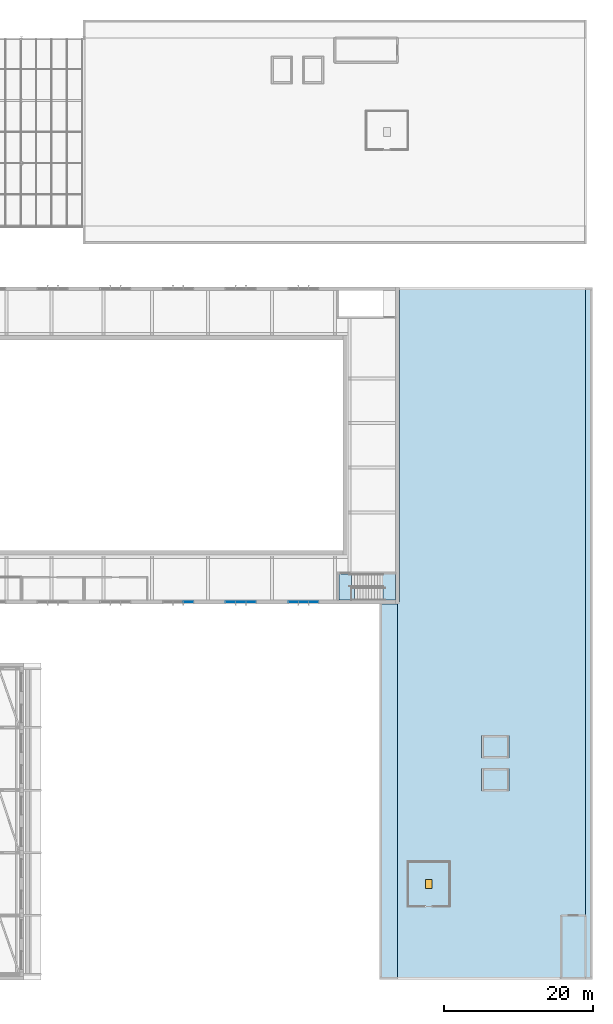
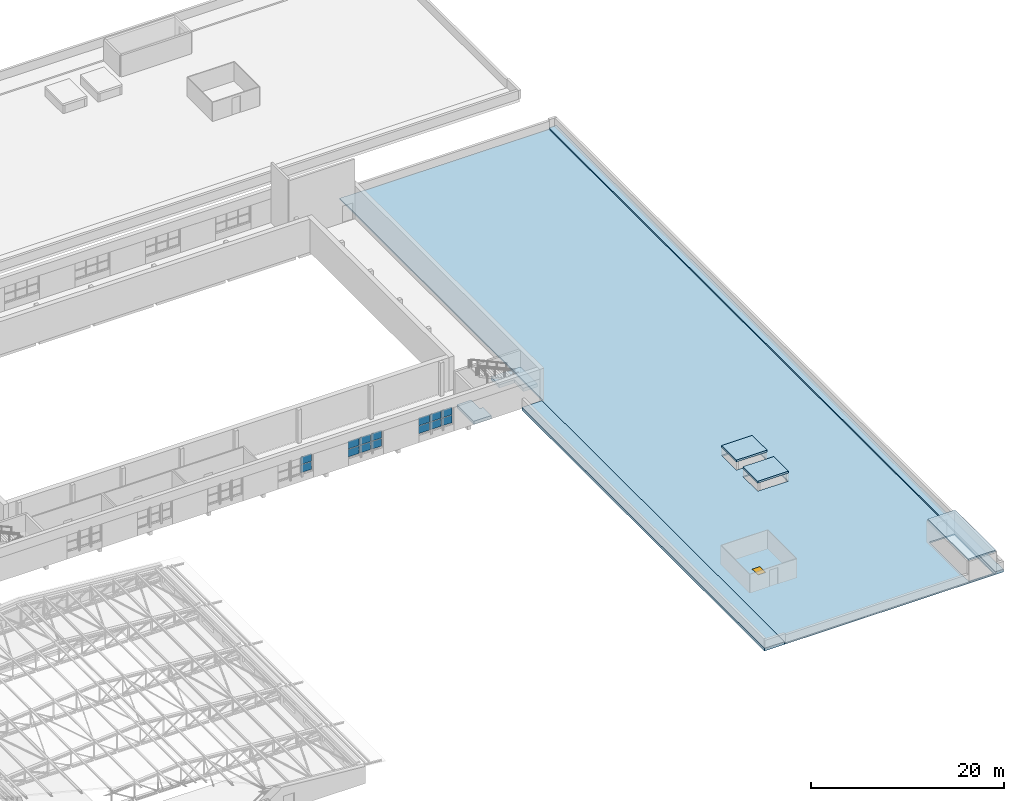
# One storey, part 31 of 60: 14 plates, 8 slabs, 1 window, 1 opening, 4 elements without a shape of their own.
"""IFC4 building model written with IfcOpenShell, lengths in metres."""

from ifc_helpers import new_model, si_unit, direction, frame, origin, origin_2d, place, context, subcontext, project, spatial, polyline, rectangle, outline, extrude, material, layer, layer_set, type_object, element, fill, aggregate, save


model = new_model("IFC4")

# Units and contexts
model_context = context("Model", 3, precision=1e-05, world=origin(), true_north=direction((0.0, 1.0)))
body_context = subcontext(model_context, "Body", "Model", "MODEL_VIEW")
ifc_project = project(units=[si_unit("LENGTHUNIT", "METRE"), si_unit("AREAUNIT", "SQUARE_METRE"), si_unit("VOLUMEUNIT", "CUBIC_METRE"), si_unit("PLANEANGLEUNIT", "RADIAN"), si_unit("MASSUNIT", "GRAM", prefix="KILO")], contexts=[model_context])

# Site, building, storey
site_placement = place(None, origin())
site = spatial("IfcSite", under=ifc_project, at=site_placement, CompositionType="ELEMENT")
building_placement = place(site_placement, origin())
building = spatial("IfcBuilding", under=site, at=building_placement, Name="Ljudholm Concert House", CompositionType="ELEMENT")
storey_placement = place(building_placement, frame((0.0, 0.0, 15.0)))
storey = spatial("IfcBuildingStorey", under=building, at=storey_placement, Name="L03", CompositionType="ELEMENT", Elevation=15.0)

# Slab, opening, window
ifc_material_1 = material(Name="Concrete 5,000 psi", Category="concrete")
ifc_layer_1 = layer(ifc_material_1, 0.179931640625)
ifc_layer_set_1 = layer_set([ifc_layer_1], Name="Concrete 5,000 psi")
slab_type_1 = type_object("IfcSlabType", Name="COMPOSITE ROOF SLAB 180", PredefinedType="ROOF", material=ifc_layer_set_1)
slab_1_placement = place(storey_placement, frame((0.0, 0.0, -0.179931640625)))
slab_1 = element("IfcSlab", 1, at=slab_1_placement, inside=storey, type_object=slab_type_1, Name="Green roof slab", PredefinedType="ROOF", context=body_context, shape_type="SweptSolid", body=[
    extrude(outline(polyline([(96.39990234375, 54.39990234375), (96.64990234375, 54.39990234375), (96.64990234375, 96.39990234375), (121.60009765625, 96.39990234375), (121.60009765625, 4.0), (96.39990234375, 4.0), (96.39990234375, 54.39990234375)]), holes=[polyline([(118.449951171875, 4.14990234375), (121.449951171875, 4.14990234375), (121.449951171875, 12.27490234375), (118.449951171875, 12.27490234375), (118.449951171875, 4.14990234375)]), polyline([(107.675048828125, 32.125), (107.675048828125, 29.074951171875), (111.324951171875, 29.074951171875), (111.324951171875, 32.125), (107.675048828125, 32.125)]), polyline([(107.675048828125, 36.52490234375), (107.675048828125, 33.47509765625), (111.324951171875, 33.47509765625), (111.324951171875, 36.52490234375), (107.675048828125, 36.52490234375)])]), origin(), (0.0, 0.0, 1.0), 0.179931640625),
])
opening_placement = place(slab_1_placement, frame((100.60009765625, 16.60009765625, 0.0)))
opening = element("IfcOpeningElement", 2, at=opening_placement, cuts=slab_1, Name="Opening X-W02-013", PredefinedType="OPENING", context=body_context, shape_type="SweptSolid", body=[
    extrude(rectangle(XDim=0.89990234375, YDim=1.199951171875, at=origin_2d()), frame((0.0, 0.0, -0.010009765625)), (0.0, 0.0, 1.0), 0.199951171875),
])
ifc_material_2 = material(Name="Aluminium roof hatch, insulated, with fixed ladder", Category="aluminium")
window_type = type_object("IfcWindowType", Name="ROOF ACCESS HATCH 900x1200", PartitioningType="SINGLE_PANEL", PredefinedType="SKYLIGHT", material=ifc_material_2)
window_placement = place(opening_placement, frame((0.0, 0.0, 0.1298828125)))
window = element("IfcWindow", 3, at=window_placement, inside=storey, type_object=window_type, Name="Roof access hatch", OverallHeight=1.199951171875, OverallWidth=0.89990234375, PartitioningType="SINGLE_PANEL", PredefinedType="SKYLIGHT", context=body_context, shape_type="SweptSolid", body=[
    extrude(rectangle(XDim=0.89990234375, YDim=1.199951171875, at=origin_2d()), origin(), (0.0, 0.0, 1.0), 0.050048828125),
])
fill(opening, window)

# Curtain wall, plates
ifc_material_3 = material(Name="Aluminium curtain wall with impact-rated laminated glass", Category="aluminium")
curtain_wall_type = type_object("IfcCurtainWallType", Name="CURTAIN WALL 1400", PredefinedType="NOTDEFINED", material=ifc_material_3)
curtain_wall_1_placement = place(storey_placement, origin())
curtain_wall_1 = element("IfcCurtainWall", 4, at=curtain_wall_1_placement, inside=storey, type_object=curtain_wall_type, Name="Promenade curtain wall", PredefinedType="NOTDEFINED")
ifc_material_4 = material(Name="Impact-rated laminated glass", Category="glass")
ifc_layer_2 = layer(ifc_material_4, 0.028076171875)
ifc_layer_set_2 = layer_set([ifc_layer_2], Name="Impact-rated laminated glass")
plate_type = type_object("IfcPlateType", Name="CURTAIN PANEL 28", PredefinedType="CURTAIN_PANEL", material=ifc_layer_set_2)
plate_1_placement = place(storey_placement, frame((68.364990234375, 54.39990234375, 0.9599609375), z_axis=(0.0, 0.0, 1.0), x_axis=(1.0, 0.0, 0.0)))
plate_1 = element("IfcPlate", 5, at=plate_1_placement, type_object=plate_type, Name="Curtain wall panel", PredefinedType="CURTAIN_PANEL", context=body_context, shape_type="SweptSolid", body=[
    extrude(rectangle(XDim=1.2900390625, YDim=0.028076171875, at=origin_2d()), origin(), (0.0, 0.0, 1.0), 0.9599609375),
])
plate_2_placement = place(storey_placement, frame((68.364990234375, 54.39990234375, 1.97998046875), z_axis=(0.0, 0.0, 1.0), x_axis=(1.0, 0.0, 0.0)))
plate_2 = element("IfcPlate", 6, at=plate_2_placement, type_object=plate_type, Name="Curtain wall panel", PredefinedType="CURTAIN_PANEL", context=body_context, shape_type="SweptSolid", body=[
    extrude(rectangle(XDim=1.2900390625, YDim=0.028076171875, at=origin_2d()), origin(), (0.0, 0.0, 1.0), 0.9599609375),
])
aggregate(curtain_wall_1, [plate_1, plate_2])

curtain_wall_2_placement = place(storey_placement, origin())
curtain_wall_2 = element("IfcCurtainWall", 7, at=curtain_wall_2_placement, inside=storey, type_object=curtain_wall_type, Name="Promenade curtain wall", PredefinedType="NOTDEFINED")
plate_3_placement = place(storey_placement, frame((74.034912109375, 54.39990234375, 0.9599609375), z_axis=(0.0, 0.0, 1.0), x_axis=(1.0, 0.0, 0.0)))
plate_3 = element("IfcPlate", 8, at=plate_3_placement, type_object=plate_type, Name="Curtain wall panel", PredefinedType="CURTAIN_PANEL", context=body_context, shape_type="SweptSolid", body=[
    extrude(rectangle(XDim=1.2900390625, YDim=0.028076171875, at=origin_2d()), origin(), (0.0, 0.0, 1.0), 0.9599609375),
])
plate_4_placement = place(storey_placement, frame((74.034912109375, 54.39990234375, 1.97998046875), z_axis=(0.0, 0.0, 1.0), x_axis=(1.0, 0.0, 0.0)))
plate_4 = element("IfcPlate", 9, at=plate_4_placement, type_object=plate_type, Name="Curtain wall panel", PredefinedType="CURTAIN_PANEL", context=body_context, shape_type="SweptSolid", body=[
    extrude(rectangle(XDim=1.2900390625, YDim=0.028076171875, at=origin_2d()), origin(), (0.0, 0.0, 1.0), 0.9599609375),
])
plate_5_placement = place(storey_placement, frame((75.39990234375, 54.39990234375, 0.9599609375), z_axis=(0.0, 0.0, 1.0), x_axis=(1.0, 0.0, 0.0)))
plate_5 = element("IfcPlate", 10, at=plate_5_placement, type_object=plate_type, Name="Curtain wall panel", PredefinedType="CURTAIN_PANEL", context=body_context, shape_type="SweptSolid", body=[
    extrude(rectangle(XDim=1.320068359375, YDim=0.028076171875, at=origin_2d()), origin(), (0.0, 0.0, 1.0), 0.9599609375),
])
plate_6_placement = place(storey_placement, frame((75.39990234375, 54.39990234375, 1.97998046875), z_axis=(0.0, 0.0, 1.0), x_axis=(1.0, 0.0, 0.0)))
plate_6 = element("IfcPlate", 11, at=plate_6_placement, type_object=plate_type, Name="Curtain wall panel", PredefinedType="CURTAIN_PANEL", context=body_context, shape_type="SweptSolid", body=[
    extrude(rectangle(XDim=1.320068359375, YDim=0.028076171875, at=origin_2d()), origin(), (0.0, 0.0, 1.0), 0.9599609375),
])
plate_7_placement = place(storey_placement, frame((76.764892578125, 54.39990234375, 0.9599609375), z_axis=(0.0, 0.0, 1.0), x_axis=(1.0, 0.0, 0.0)))
plate_7 = element("IfcPlate", 12, at=plate_7_placement, type_object=plate_type, Name="Curtain wall panel", PredefinedType="CURTAIN_PANEL", context=body_context, shape_type="SweptSolid", body=[
    extrude(rectangle(XDim=1.2900390625, YDim=0.028076171875, at=origin_2d()), origin(), (0.0, 0.0, 1.0), 0.9599609375),
])
plate_8_placement = place(storey_placement, frame((76.764892578125, 54.39990234375, 1.97998046875), z_axis=(0.0, 0.0, 1.0), x_axis=(1.0, 0.0, 0.0)))
plate_8 = element("IfcPlate", 13, at=plate_8_placement, type_object=plate_type, Name="Curtain wall panel", PredefinedType="CURTAIN_PANEL", context=body_context, shape_type="SweptSolid", body=[
    extrude(rectangle(XDim=1.2900390625, YDim=0.028076171875, at=origin_2d()), origin(), (0.0, 0.0, 1.0), 0.9599609375),
])
aggregate(curtain_wall_2, [plate_3, plate_4, plate_5, plate_6, plate_7, plate_8])

curtain_wall_3_placement = place(storey_placement, origin())
curtain_wall_3 = element("IfcCurtainWall", 14, at=curtain_wall_3_placement, inside=storey, type_object=curtain_wall_type, Name="Promenade curtain wall", PredefinedType="NOTDEFINED")
plate_9_placement = place(storey_placement, frame((82.43505859375, 54.39990234375, 0.9599609375), z_axis=(0.0, 0.0, 1.0), x_axis=(1.0, 0.0, 0.0)))
plate_9 = element("IfcPlate", 15, at=plate_9_placement, type_object=plate_type, Name="Curtain wall panel", PredefinedType="CURTAIN_PANEL", context=body_context, shape_type="SweptSolid", body=[
    extrude(rectangle(XDim=1.2900390625, YDim=0.028076171875, at=origin_2d()), origin(), (0.0, 0.0, 1.0), 0.9599609375),
])
plate_10_placement = place(storey_placement, frame((82.43505859375, 54.39990234375, 1.97998046875), z_axis=(0.0, 0.0, 1.0), x_axis=(1.0, 0.0, 0.0)))
plate_10 = element("IfcPlate", 16, at=plate_10_placement, type_object=plate_type, Name="Curtain wall panel", PredefinedType="CURTAIN_PANEL", context=body_context, shape_type="SweptSolid", body=[
    extrude(rectangle(XDim=1.2900390625, YDim=0.028076171875, at=origin_2d()), origin(), (0.0, 0.0, 1.0), 0.9599609375),
])
plate_11_placement = place(storey_placement, frame((83.800048828125, 54.39990234375, 0.9599609375), z_axis=(0.0, 0.0, 1.0), x_axis=(1.0, 0.0, 0.0)))
plate_11 = element("IfcPlate", 17, at=plate_11_placement, type_object=plate_type, Name="Curtain wall panel", PredefinedType="CURTAIN_PANEL", context=body_context, shape_type="SweptSolid", body=[
    extrude(rectangle(XDim=1.320068359375, YDim=0.028076171875, at=origin_2d()), origin(), (0.0, 0.0, 1.0), 0.9599609375),
])
plate_12_placement = place(storey_placement, frame((83.800048828125, 54.39990234375, 1.97998046875), z_axis=(0.0, 0.0, 1.0), x_axis=(1.0, 0.0, 0.0)))
plate_12 = element("IfcPlate", 18, at=plate_12_placement, type_object=plate_type, Name="Curtain wall panel", PredefinedType="CURTAIN_PANEL", context=body_context, shape_type="SweptSolid", body=[
    extrude(rectangle(XDim=1.320068359375, YDim=0.028076171875, at=origin_2d()), origin(), (0.0, 0.0, 1.0), 0.9599609375),
])
plate_13_placement = place(storey_placement, frame((85.1650390625, 54.39990234375, 0.9599609375), z_axis=(0.0, 0.0, 1.0), x_axis=(1.0, 0.0, 0.0)))
plate_13 = element("IfcPlate", 19, at=plate_13_placement, type_object=plate_type, Name="Curtain wall panel", PredefinedType="CURTAIN_PANEL", context=body_context, shape_type="SweptSolid", body=[
    extrude(rectangle(XDim=1.2900390625, YDim=0.028076171875, at=origin_2d()), origin(), (0.0, 0.0, 1.0), 0.9599609375),
])
plate_14_placement = place(storey_placement, frame((85.1650390625, 54.39990234375, 1.97998046875), z_axis=(0.0, 0.0, 1.0), x_axis=(1.0, 0.0, 0.0)))
plate_14 = element("IfcPlate", 20, at=plate_14_placement, type_object=plate_type, Name="Curtain wall panel", PredefinedType="CURTAIN_PANEL", context=body_context, shape_type="SweptSolid", body=[
    extrude(rectangle(XDim=1.2900390625, YDim=0.028076171875, at=origin_2d()), origin(), (0.0, 0.0, 1.0), 0.9599609375),
])
aggregate(curtain_wall_3, [plate_9, plate_10, plate_11, plate_12, plate_13, plate_14])

# Slabs
ifc_material_5 = material(Name="Concrete 5,000 psi", Category="concrete")
ifc_layer_3 = layer(ifc_material_5, 0.35009765625)
ifc_layer_set_3 = layer_set([ifc_layer_3], Name="Concrete 5,000 psi")
slab_type_2 = type_object("IfcSlabType", Name="RC EAVE SLAB 350", PredefinedType="ROOF", material=ifc_layer_set_3)
slab_2_placement = place(storey_placement, frame((0.0, 0.0, -0.179931640625)))
element("IfcSlab", 21, at=slab_2_placement, inside=storey, type_object=slab_type_2, Name="Eave slab", PredefinedType="ROOF", context=body_context, shape_type="SweptSolid", body=[
    extrude(outline(polyline([(94.0, 4.0), (96.39990234375, 4.0), (96.39990234375, 54.14990234375), (94.0, 54.14990234375), (94.0, 4.0)])), origin(), (0.0, 0.0, 1.0), 0.349853515625),
])
slab_3_placement = place(storey_placement, frame((0.0, 0.0, -0.179931640625)))
element("IfcSlab", 22, at=slab_3_placement, inside=storey, type_object=slab_type_2, Name="Eave slab", PredefinedType="ROOF", context=body_context, shape_type="SweptSolid", body=[
    extrude(outline(polyline([(121.60009765625, 4.0), (122.5, 4.0), (122.5, 96.39990234375), (121.60009765625, 96.39990234375), (121.60009765625, 4.0)])), origin(), (0.0, 0.0, 1.0), 0.349853515625),
])
ifc_material_6 = material(Name="Concrete 5,000 psi", Category="concrete")
ifc_layer_4 = layer(ifc_material_6, 0.39990234375)
ifc_layer_set_4 = layer_set([ifc_layer_4], Name="Concrete 5,000 psi")
slab_type_3 = type_object("IfcSlabType", Name="RC FLOOR SLAB 400", PredefinedType="FLOOR", material=ifc_layer_set_4)
slab_4_placement = place(storey_placement, frame((0.0, 0.0, -0.39990234375)))
element("IfcSlab", 23, at=slab_4_placement, inside=storey, type_object=slab_type_3, Name="Stair arrival floor EH3", PredefinedType="FLOOR", context=body_context, shape_type="SweptSolid", body=[
    extrude(outline(polyline([(88.550048828125, 54.64990234375), (88.550048828125, 58.14990234375), (90.25048828125, 58.14990234375), (90.25048828125, 56.35009765625), (90.64990234375, 56.35009765625), (90.64990234375, 54.64990234375), (90.25048828125, 54.64990234375), (90.25, 54.64990234375), (88.550048828125, 54.64990234375)])), origin(), (0.0, 0.0, 1.0), 0.39990234375),
])

# Stair, slab
ifc_material_7 = material(Name="Concrete 5,000 psi", Category="concrete")
stair_type = type_object("IfcStairType", Name="RC STAIR 1700x175x382", PredefinedType="HALF_TURN_STAIR", material=ifc_material_7)
stair_placement = place(storey_placement, origin())
stair = element("IfcStair", 24, at=stair_placement, inside=storey, type_object=stair_type, Name="Exit stair EH3", PredefinedType="HALF_TURN_STAIR")
ifc_material_8 = material(Name="Concrete 5,000 psi", Category="concrete")
ifc_layer_5 = layer(ifc_material_8, 0.409912109375)
ifc_layer_set_5 = layer_set([ifc_layer_5], Name="Concrete 5,000 psi")
slab_type_4 = type_object("IfcSlabType", Name="RC LANDING 410", PredefinedType="LANDING", material=ifc_layer_set_5)
slab_5_placement = place(storey_placement, frame((0.0, 0.0, 1.68994140625)))
slab_5 = element("IfcSlab", 25, at=slab_5_placement, type_object=slab_type_4, Name="Stair landing", PredefinedType="LANDING", context=body_context, shape_type="SweptSolid", body=[
    extrude(outline(polyline([(92.6201171875, 58.14990234375), (92.6201171875, 56.449951171875), (94.449462890625, 56.449951171875), (94.449462890625, 54.64990234375), (96.14990234375, 54.64990234375), (96.14990234375, 58.14990234375), (92.6201171875, 58.14990234375)])), origin(), (0.0, 0.0, 1.0), 0.41015625),
])
aggregate(stair, [slab_5])

# Slabs
ifc_material_9 = material(Name="Concrete 5,000 psi", Category="concrete")
ifc_layer_6 = layer(ifc_material_9, 0.199951171875)
ifc_layer_set_6 = layer_set([ifc_layer_6], Name="Concrete 5,000 psi")
slab_type_5 = type_object("IfcSlabType", Name="RC ROOF SLAB 200", PredefinedType="ROOF", material=ifc_layer_set_6)
slab_6_placement = place(storey_placement, frame((0.0, 0.0, 2.699951171875)))
element("IfcSlab", 26, at=slab_6_placement, inside=storey, type_object=slab_type_5, Name="Head-house roof slab", PredefinedType="ROOF", context=body_context, shape_type="SweptSolid", body=[
    extrude(outline(polyline([(118.324951171875, 4.0), (121.60009765625, 4.0), (121.60009765625, 12.39990234375), (118.324951171875, 12.39990234375), (118.324951171875, 4.0)])), origin(), (0.0, 0.0, 1.0), 0.199951171875),
])
ifc_material_10 = material(Name="Concrete 5,000 psi", Category="concrete")
ifc_layer_7 = layer(ifc_material_10, 0.25)
ifc_layer_set_7 = layer_set([ifc_layer_7], Name="Concrete 5,000 psi")
slab_type_6 = type_object("IfcSlabType", Name="RC ROOF SLAB 250", PredefinedType="ROOF", material=ifc_layer_set_7)
slab_7_placement = place(storey_placement, frame((0.0, 0.0, 1.0)))
element("IfcSlab", 27, at=slab_7_placement, inside=storey, type_object=slab_type_6, Name="Lift overrun roof slab", PredefinedType="ROOF", context=body_context, shape_type="SweptSolid", body=[
    extrude(outline(polyline([(107.675048828125, 29.074951171875), (111.324951171875, 29.074951171875), (111.324951171875, 32.125), (107.675048828125, 32.125), (107.675048828125, 29.074951171875)])), origin(), (0.0, 0.0, 1.0), 0.25),
])
slab_8_placement = place(storey_placement, frame((0.0, 0.0, 1.0)))
element("IfcSlab", 28, at=slab_8_placement, inside=storey, type_object=slab_type_6, Name="Lift overrun roof slab", PredefinedType="ROOF", context=body_context, shape_type="SweptSolid", body=[
    extrude(outline(polyline([(107.675048828125, 33.47509765625), (111.324951171875, 33.47509765625), (111.324951171875, 36.52490234375), (107.675048828125, 36.52490234375), (107.675048828125, 33.47509765625)])), origin(), (0.0, 0.0, 1.0), 0.25),
])

save(model, "model.ifc")
